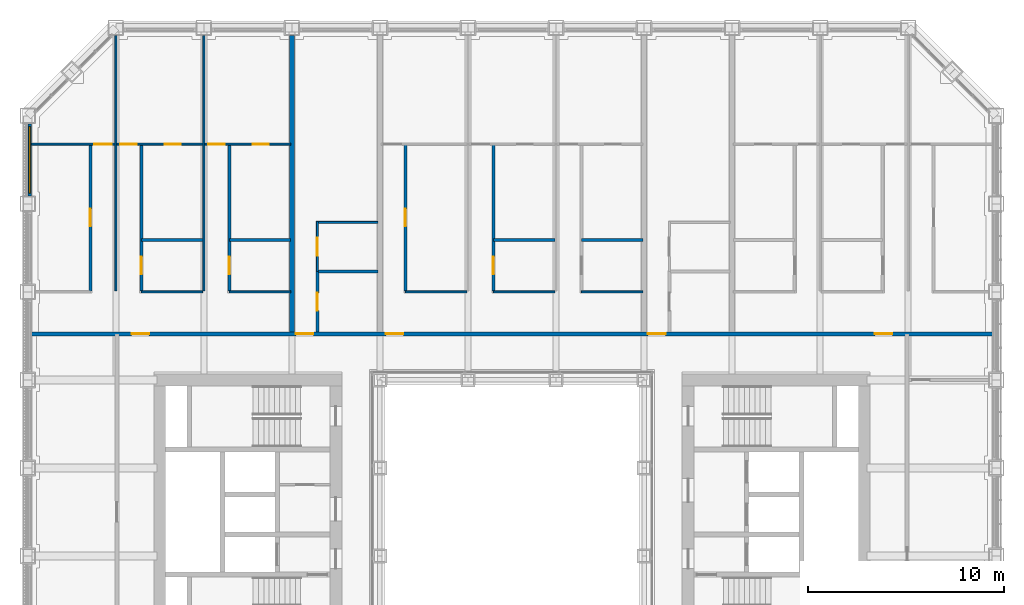
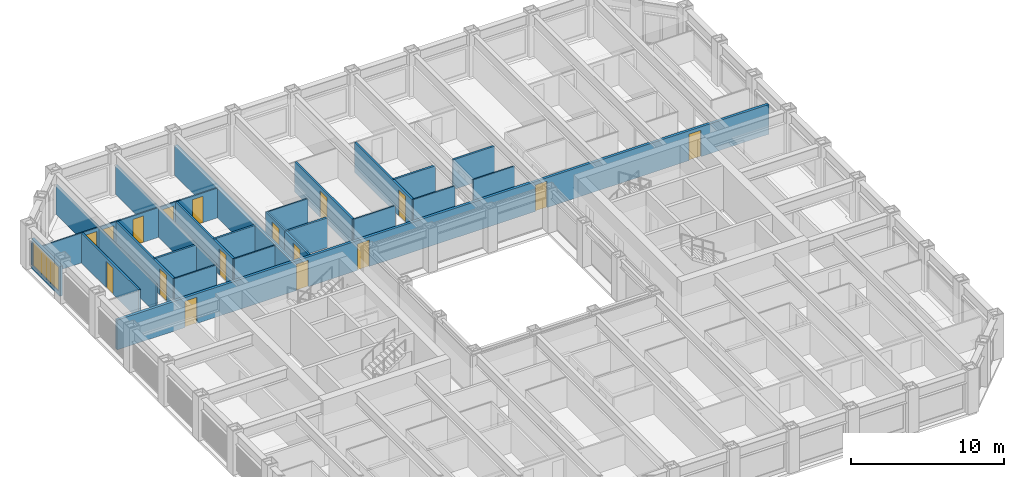
# One storey, part 13 of 20: 26 walls, 17 doors, 1 window, 18 openings.
"""IFC4 building model written with IfcOpenShell, lengths in metres."""

from ifc_helpers import new_model, si_unit, direction, frame, frame_2d, origin, place, context, subcontext, project, spatial, rectangle, extrude, material, layer, layer_set, type_object, element, fill, save


model = new_model("IFC4")

# Units and contexts
model_context = context("Model", 3, precision=1e-05, world=origin(), true_north=direction((0.0, 1.0)))
body_context = subcontext(model_context, "Body", "Model", "MODEL_VIEW")
ifc_project = project(units=[si_unit("LENGTHUNIT", "METRE"), si_unit("AREAUNIT", "SQUARE_METRE"), si_unit("VOLUMEUNIT", "CUBIC_METRE"), si_unit("PLANEANGLEUNIT", "RADIAN"), si_unit("MASSUNIT", "GRAM", prefix="KILO")], contexts=[model_context])

# Site, building, storey
site_placement = place(None, origin())
site = spatial("IfcSite", under=ifc_project, at=site_placement, CompositionType="ELEMENT")
building_placement = place(site_placement, origin())
building = spatial("IfcBuilding", under=site, at=building_placement, Name="Msasa Ring Tower", CompositionType="ELEMENT")
storey_placement = place(building_placement, frame((0.0, 0.0, 61.5)))
storey = spatial("IfcBuildingStorey", under=building, at=storey_placement, Name="L15", CompositionType="ELEMENT", Elevation=61.5)

# Wall, opening, window
ifc_material_1 = material(Name="Terracotta rainscreen on blockwork", Category="masonry")
ifc_layer_1 = layer(ifc_material_1, 0.199951171875)
ifc_layer_set_1 = layer_set([ifc_layer_1], Name="FW1 TERRACOTTA-LINED INFILL BAY WALL 200")
wall_type_1 = type_object("IfcWallType", Name="FW1 TERRACOTTA-LINED INFILL BAY WALL 200", PredefinedType="SOLIDWALL", material=ifc_layer_set_1)
wall_1_placement = place(storey_placement, frame((-24.64990234375, 16.155029296875, 0.0), z_axis=(0.0, 0.0, 1.0), x_axis=(0.0, 1.0, 0.0)))
wall_1 = element("IfcWall", 1, at=wall_1_placement, inside=storey, type_object=wall_type_1, Name="Infill bay wall W L15 41", PredefinedType="SOLIDWALL", context=body_context, shape_type="SweptSolid", body=[
    extrude(rectangle(XDim=3.68994140625, YDim=0.199951171875, at=frame_2d((1.844970703125, 0.0))), origin(), (0.0, 0.0, 1.0), 2.37890625),
])
opening_1_placement = place(wall_1_placement, frame((0.14501953125, 0.0, 0.300048828125)))
opening_1 = element("IfcOpeningElement", 2, at=opening_1_placement, cuts=wall_1, Name="Opening WN1", PredefinedType="OPENING", context=body_context, shape_type="SweptSolid", body=[
    extrude(rectangle(XDim=3.39990234375, YDim=1.928955078125, at=frame_2d((1.699951171875, 0.96435546875))), frame((0.0, 0.10986328125, 0.0), z_axis=(0.0, -1.0, 0.0), x_axis=(1.0, 0.0, 0.0)), (0.0, 0.0, 1.0), 0.219970703125),
])
ifc_material_2 = material(Name="Aluminium frame with clear glass", Category="aluminium")
window_type = type_object("IfcWindowType", Name="WN1 RESIDENCE WINDOW 3400x1929", PartitioningType="SINGLE_PANEL", PredefinedType="WINDOW", material=ifc_material_2)
window_placement = place(opening_1_placement, origin())
window = element("IfcWindow", 3, at=window_placement, inside=storey, type_object=window_type, Name="Window W L15 41", OverallHeight=1.928955078125, OverallWidth=3.39990234375, PartitioningType="SINGLE_PANEL", PredefinedType="WINDOW", context=body_context, shape_type="SweptSolid", body=[
    extrude(rectangle(XDim=3.39990234375, YDim=1.928955078125, at=frame_2d((1.699951171875, 0.96435546875))), frame((0.0, 0.030029296875, 0.0), z_axis=(0.0, -1.0, 0.0), x_axis=(1.0, 0.0, 0.0)), (0.0, 0.0, 1.0), 0.06005859375),
])
fill(opening_1, window)

# Wall, openings, doors
ifc_material_3 = material(Name="Concrete blockwork", Category="masonry")
ifc_layer_2 = layer(ifc_material_3, 0.199951171875)
ifc_layer_set_2 = layer_set([ifc_layer_2], Name="PT1 CORRIDOR WALL 200")
wall_type_2 = type_object("IfcWallType", Name="PT1 CORRIDOR WALL 200", PredefinedType="PARTITIONING", material=ifc_layer_set_2)
wall_2_placement = place(storey_placement, frame((-24.550048828125, 9.10009765625, 0.0), z_axis=(0.0, 0.0, 1.0), x_axis=(1.0, 0.0, 0.0)))
wall_2 = element("IfcWall", 4, at=wall_2_placement, inside=storey, type_object=wall_type_2, Name="Corridor wall L15-CORRN0", PredefinedType="PARTITIONING", context=body_context, shape_type="SweptSolid", body=[
    extrude(rectangle(XDim=49.10009765625, YDim=0.199951171875, at=frame_2d((24.550048828125, 0.0))), origin(), (0.0, 0.0, 1.0), 2.373291015625),
])
opening_2_placement = place(wall_2_placement, frame((5.10009765625, 0.0, 0.0)))
opening_2 = element("IfcOpeningElement", 5, at=opening_2_placement, cuts=wall_2, Name="Opening RD-029", PredefinedType="OPENING", context=body_context, shape_type="SweptSolid", body=[
    extrude(rectangle(XDim=0.89990234375, YDim=2.10009765625, at=frame_2d((0.449951171875, 1.050048828125))), frame((0.0, 0.10986328125, 0.0), z_axis=(0.0, -1.0, 0.0), x_axis=(1.0, 0.0, 0.0)), (0.0, 0.0, 1.0), 0.219970703125),
])
opening_3_placement = place(wall_2_placement, frame((13.5, 0.0, 0.0)))
opening_3 = element("IfcOpeningElement", 6, at=opening_3_placement, cuts=wall_2, Name="Opening RD-030", PredefinedType="OPENING", context=body_context, shape_type="SweptSolid", body=[
    extrude(rectangle(XDim=0.89990234375, YDim=2.10009765625, at=frame_2d((0.449951171875, 1.050048828125))), frame((0.0, 0.10986328125, 0.0), z_axis=(0.0, -1.0, 0.0), x_axis=(1.0, 0.0, 0.0)), (0.0, 0.0, 1.0), 0.219970703125),
])
opening_4_placement = place(wall_2_placement, frame((18.10009765625, 0.0, 0.0)))
opening_4 = element("IfcOpeningElement", 7, at=opening_4_placement, cuts=wall_2, Name="Opening RD-031", PredefinedType="OPENING", context=body_context, shape_type="SweptSolid", body=[
    extrude(rectangle(XDim=0.89990234375, YDim=2.10009765625, at=frame_2d((0.449951171875, 1.050048828125))), frame((0.0, 0.10986328125, 0.0), z_axis=(0.0, -1.0, 0.0), x_axis=(1.0, 0.0, 0.0)), (0.0, 0.0, 1.0), 0.219970703125),
])
opening_5_placement = place(wall_2_placement, frame((31.5, 0.0, 0.0)))
opening_5 = element("IfcOpeningElement", 8, at=opening_5_placement, cuts=wall_2, Name="Opening RD-032", PredefinedType="OPENING", context=body_context, shape_type="SweptSolid", body=[
    extrude(rectangle(XDim=0.89990234375, YDim=2.10009765625, at=frame_2d((0.449951171875, 1.050048828125))), frame((0.0, 0.10986328125, 0.0), z_axis=(0.0, -1.0, 0.0), x_axis=(1.0, 0.0, 0.0)), (0.0, 0.0, 1.0), 0.219970703125),
])
opening_6_placement = place(wall_2_placement, frame((43.10009765625, 0.0, 0.0)))
opening_6 = element("IfcOpeningElement", 9, at=opening_6_placement, cuts=wall_2, Name="Opening RD-033", PredefinedType="OPENING", context=body_context, shape_type="SweptSolid", body=[
    extrude(rectangle(XDim=0.89990234375, YDim=2.10009765625, at=frame_2d((0.449951171875, 1.050048828125))), frame((0.0, 0.10986328125, 0.0), z_axis=(0.0, -1.0, 0.0), x_axis=(1.0, 0.0, 0.0)), (0.0, 0.0, 1.0), 0.219970703125),
])
ifc_material_4 = material(Name="Timber door leaf in a steel frame", Category="steel")
door_type_1 = type_object("IfcDoorType", Name="D2 ENTRANCE DOOR 900x2100", OperationType="SINGLE_SWING_LEFT", PredefinedType="DOOR", material=ifc_material_4)
door_1_placement = place(opening_2_placement, origin())
door_1 = element("IfcDoor", 10, at=door_1_placement, inside=storey, type_object=door_type_1, Name="Door L15-UN00", OperationType="SINGLE_SWING_LEFT", OverallHeight=2.10009765625, OverallWidth=0.89990234375, PredefinedType="DOOR", context=body_context, shape_type="SweptSolid", body=[
    extrude(rectangle(XDim=0.89990234375, YDim=2.10009765625, at=frame_2d((0.449951171875, 1.050048828125))), frame((0.0, 0.02490234375, 0.0), z_axis=(0.0, -1.0, 0.0), x_axis=(1.0, 0.0, 0.0)), (0.0, 0.0, 1.0), 0.050048828125),
])
fill(opening_2, door_1)
door_2_placement = place(opening_3_placement, origin())
door_2 = element("IfcDoor", 11, at=door_2_placement, inside=storey, type_object=door_type_1, Name="Door L15-UN01", OperationType="SINGLE_SWING_LEFT", OverallHeight=2.10009765625, OverallWidth=0.89990234375, PredefinedType="DOOR", context=body_context, shape_type="SweptSolid", body=[
    extrude(rectangle(XDim=0.89990234375, YDim=2.10009765625, at=frame_2d((0.449951171875, 1.050048828125))), frame((0.0, 0.02490234375, 0.0), z_axis=(0.0, -1.0, 0.0), x_axis=(1.0, 0.0, 0.0)), (0.0, 0.0, 1.0), 0.050048828125),
])
fill(opening_3, door_2)
door_3_placement = place(opening_4_placement, origin())
door_3 = element("IfcDoor", 12, at=door_3_placement, inside=storey, type_object=door_type_1, Name="Door L15-UN02", OperationType="SINGLE_SWING_LEFT", OverallHeight=2.10009765625, OverallWidth=0.89990234375, PredefinedType="DOOR", context=body_context, shape_type="SweptSolid", body=[
    extrude(rectangle(XDim=0.89990234375, YDim=2.10009765625, at=frame_2d((0.449951171875, 1.050048828125))), frame((0.0, 0.02490234375, 0.0), z_axis=(0.0, -1.0, 0.0), x_axis=(1.0, 0.0, 0.0)), (0.0, 0.0, 1.0), 0.050048828125),
])
fill(opening_4, door_3)
door_4_placement = place(opening_5_placement, origin())
door_4 = element("IfcDoor", 13, at=door_4_placement, inside=storey, type_object=door_type_1, Name="Door L15-UN03", OperationType="SINGLE_SWING_RIGHT", OverallHeight=2.10009765625, OverallWidth=0.89990234375, PredefinedType="DOOR", context=body_context, shape_type="SweptSolid", body=[
    extrude(rectangle(XDim=0.89990234375, YDim=2.10009765625, at=frame_2d((0.449951171875, 1.050048828125))), frame((0.0, 0.02490234375, 0.0), z_axis=(0.0, -1.0, 0.0), x_axis=(1.0, 0.0, 0.0)), (0.0, 0.0, 1.0), 0.050048828125),
])
fill(opening_5, door_4)
door_5_placement = place(opening_6_placement, origin())
door_5 = element("IfcDoor", 14, at=door_5_placement, inside=storey, type_object=door_type_1, Name="Door L15-UN04", OperationType="SINGLE_SWING_RIGHT", OverallHeight=2.10009765625, OverallWidth=0.89990234375, PredefinedType="DOOR", context=body_context, shape_type="SweptSolid", body=[
    extrude(rectangle(XDim=0.89990234375, YDim=2.10009765625, at=frame_2d((0.449951171875, 1.050048828125))), frame((0.0, 0.02490234375, 0.0), z_axis=(0.0, -1.0, 0.0), x_axis=(1.0, 0.0, 0.0)), (0.0, 0.0, 1.0), 0.050048828125),
])
fill(opening_6, door_5)

# Wall, opening, door
ifc_material_5 = material(Name="Gypsum board on steel studs", Category="steel")
ifc_layer_3 = layer(ifc_material_5, 0.10009765625)
ifc_layer_set_3 = layer_set([ifc_layer_3], Name="PT2 STUD PARTITION 100")
wall_type_3 = type_object("IfcWallType", Name="PT2 STUD PARTITION 100", PredefinedType="PARTITIONING", material=ifc_layer_set_3)
wall_3_placement = place(storey_placement, frame((-24.550048828125, 18.800048828125, 0.0), z_axis=(0.0, 0.0, 1.0), x_axis=(1.0, 0.0, 0.0)))
wall_3 = element("IfcWall", 15, at=wall_3_placement, inside=storey, type_object=wall_type_3, Name="Partition L15-UN00SY0", PredefinedType="PARTITIONING", context=body_context, shape_type="SweptSolid", body=[
    extrude(rectangle(XDim=4.25, YDim=0.10009765625, at=frame_2d((2.125, 0.0))), origin(), (0.0, 0.0, 1.0), 2.373291015625),
])
opening_7_placement = place(wall_3_placement, frame((3.199951171875, 0.0, 0.0)))
opening_7 = element("IfcOpeningElement", 16, at=opening_7_placement, cuts=wall_3, Name="Opening RD-001", PredefinedType="OPENING", context=body_context, shape_type="SweptSolid", body=[
    extrude(rectangle(XDim=0.89990234375, YDim=2.10009765625, at=frame_2d((0.449951171875, 1.050048828125))), frame((0.0, 0.06005859375, 0.0), z_axis=(0.0, -1.0, 0.0), x_axis=(1.0, 0.0, 0.0)), (0.0, 0.0, 1.0), 0.1201171875),
])
ifc_material_6 = material(Name="Timber door leaf in a steel frame", Category="steel")
door_type_2 = type_object("IfcDoorType", Name="D22 INTERNAL HALL DOOR 900x2100", OperationType="SINGLE_SWING_LEFT", PredefinedType="DOOR", material=ifc_material_6)
door_6_placement = place(opening_7_placement, origin())
door_6 = element("IfcDoor", 17, at=door_6_placement, inside=storey, type_object=door_type_2, Name="Door L15-UN00L", OperationType="SINGLE_SWING_RIGHT", OverallHeight=2.10009765625, OverallWidth=0.89990234375, PredefinedType="DOOR", context=body_context, shape_type="SweptSolid", body=[
    extrude(rectangle(XDim=0.89990234375, YDim=2.10009765625, at=frame_2d((0.449951171875, 1.050048828125))), frame((0.0, 0.02490234375, 0.0), z_axis=(0.0, -1.0, 0.0), x_axis=(1.0, 0.0, 0.0)), (0.0, 0.0, 1.0), 0.050048828125),
])
fill(opening_7, door_6)

# Walls
wall_4_placement = place(storey_placement, frame((-20.25, 11.300048828125, 0.0), z_axis=(0.0, 0.0, 1.0), x_axis=(0.0, 1.0, 0.0)))
element("IfcWall", 18, at=wall_4_placement, inside=storey, type_object=wall_type_3, Name="Partition L15-UN00P1", PredefinedType="PARTITIONING", context=body_context, shape_type="SweptSolid", body=[
    extrude(rectangle(XDim=13.050048828125, YDim=0.10009765625, at=frame_2d((6.52490234375, 0.0))), origin(), (0.0, 0.0, 1.0), 2.373291015625),
])
wall_5_placement = place(storey_placement, frame((-18.949951171875, 11.25, 0.0), z_axis=(0.0, 0.0, 1.0), x_axis=(1.0, 0.0, 0.0)))
element("IfcWall", 19, at=wall_5_placement, inside=storey, type_object=wall_type_3, Name="Partition L15-UN00HY1", PredefinedType="PARTITIONING", context=body_context, shape_type="SweptSolid", body=[
    extrude(rectangle(XDim=3.139892578125, YDim=0.10009765625, at=frame_2d((1.56982421875, 0.0))), origin(), (0.0, 0.0, 1.0), 2.373291015625),
])

# Wall, openings, doors
wall_6_placement = place(storey_placement, frame((-20.199951171875, 18.800048828125, 0.0), z_axis=(0.0, 0.0, 1.0), x_axis=(1.0, 0.0, 0.0)))
wall_6 = element("IfcWall", 20, at=wall_6_placement, inside=storey, type_object=wall_type_3, Name="Partition L15-UN00SY1", PredefinedType="PARTITIONING", context=body_context, shape_type="SweptSolid", body=[
    extrude(rectangle(XDim=4.39990234375, YDim=0.10009765625, at=frame_2d((2.199951171875, 0.0))), origin(), (0.0, 0.0, 1.0), 2.373291015625),
])
opening_8_placement = place(wall_6_placement, frame((0.175048828125, 0.0, 0.0)))
opening_8 = element("IfcOpeningElement", 21, at=opening_8_placement, cuts=wall_6, Name="Opening RD-002", PredefinedType="OPENING", context=body_context, shape_type="SweptSolid", body=[
    extrude(rectangle(XDim=0.85009765625, YDim=2.10009765625, at=frame_2d((0.425048828125, 1.050048828125))), frame((0.0, 0.06005859375, 0.0), z_axis=(0.0, -1.0, 0.0), x_axis=(1.0, 0.0, 0.0)), (0.0, 0.0, 1.0), 0.1201171875),
])
opening_9_placement = place(wall_6_placement, frame((2.4599609375, 0.0, 0.0)))
opening_9 = element("IfcOpeningElement", 22, at=opening_9_placement, cuts=wall_6, Name="Opening RD-003", PredefinedType="OPENING", context=body_context, shape_type="SweptSolid", body=[
    extrude(rectangle(XDim=0.800048828125, YDim=2.10009765625, at=frame_2d((0.39990234375, 1.050048828125))), frame((0.0, 0.06005859375, 0.0), z_axis=(0.0, -1.0, 0.0), x_axis=(1.0, 0.0, 0.0)), (0.0, 0.0, 1.0), 0.1201171875),
])
ifc_material_7 = material(Name="Timber door leaf in a steel frame", Category="steel")
door_type_3 = type_object("IfcDoorType", Name="D14 BEDROOM DOOR 850x2100", OperationType="SINGLE_SWING_LEFT", PredefinedType="DOOR", material=ifc_material_7)
door_7_placement = place(opening_8_placement, origin())
door_7 = element("IfcDoor", 23, at=door_7_placement, inside=storey, type_object=door_type_3, Name="Door L15-UN00R1", OperationType="SINGLE_SWING_LEFT", OverallHeight=2.10009765625, OverallWidth=0.85009765625, PredefinedType="DOOR", context=body_context, shape_type="SweptSolid", body=[
    extrude(rectangle(XDim=0.85009765625, YDim=2.10009765625, at=frame_2d((0.425048828125, 1.050048828125))), frame((0.0, 0.02490234375, 0.0), z_axis=(0.0, -1.0, 0.0), x_axis=(1.0, 0.0, 0.0)), (0.0, 0.0, 1.0), 0.050048828125),
])
fill(opening_8, door_7)
ifc_material_8 = material(Name="Timber door leaf in a steel frame", Category="steel")
door_type_4 = type_object("IfcDoorType", Name="D60 DRESSING ROOM DOOR 800x2100", OperationType="SINGLE_SWING_LEFT", PredefinedType="DOOR", material=ifc_material_8)
door_8_placement = place(opening_9_placement, origin())
door_8 = element("IfcDoor", 24, at=door_8_placement, inside=storey, type_object=door_type_4, Name="Door L15-UN00W1", OperationType="SINGLE_SWING_RIGHT", OverallHeight=2.10009765625, OverallWidth=0.800048828125, PredefinedType="DOOR", context=body_context, shape_type="SweptSolid", body=[
    extrude(rectangle(XDim=0.800048828125, YDim=2.10009765625, at=frame_2d((0.39990234375, 1.050048828125))), frame((0.0, 0.02490234375, 0.0), z_axis=(0.0, -1.0, 0.0), x_axis=(1.0, 0.0, 0.0)), (0.0, 0.0, 1.0), 0.050048828125),
])
fill(opening_9, door_8)

# Walls
wall_7_placement = place(storey_placement, frame((-15.75, 11.300048828125, 0.0), z_axis=(0.0, 0.0, 1.0), x_axis=(0.0, 1.0, 0.0)))
element("IfcWall", 25, at=wall_7_placement, inside=storey, type_object=wall_type_3, Name="Partition L15-UN00P2", PredefinedType="PARTITIONING", context=body_context, shape_type="SweptSolid", body=[
    extrude(rectangle(XDim=13.050048828125, YDim=0.10009765625, at=frame_2d((6.52490234375, 0.0))), origin(), (0.0, 0.0, 1.0), 2.373291015625),
])
wall_8_placement = place(storey_placement, frame((-14.449951171875, 11.25, 0.0), z_axis=(0.0, 0.0, 1.0), x_axis=(1.0, 0.0, 0.0)))
element("IfcWall", 26, at=wall_8_placement, inside=storey, type_object=wall_type_3, Name="Partition L15-UN00HY2", PredefinedType="PARTITIONING", context=body_context, shape_type="SweptSolid", body=[
    extrude(rectangle(XDim=3.139892578125, YDim=0.10009765625, at=frame_2d((1.56982421875, 0.0))), origin(), (0.0, 0.0, 1.0), 2.373291015625),
])

# Wall, openings, doors
wall_9_placement = place(storey_placement, frame((-15.699951171875, 18.800048828125, 0.0), z_axis=(0.0, 0.0, 1.0), x_axis=(1.0, 0.0, 0.0)))
wall_9 = element("IfcWall", 27, at=wall_9_placement, inside=storey, type_object=wall_type_3, Name="Partition L15-UN00SY2", PredefinedType="PARTITIONING", context=body_context, shape_type="SweptSolid", body=[
    extrude(rectangle(XDim=4.389892578125, YDim=0.10009765625, at=frame_2d((2.19482421875, 0.0))), origin(), (0.0, 0.0, 1.0), 2.373291015625),
])
opening_10_placement = place(wall_9_placement, frame((0.175048828125, 0.0, 0.0)))
opening_10 = element("IfcOpeningElement", 28, at=opening_10_placement, cuts=wall_9, Name="Opening RD-004", PredefinedType="OPENING", context=body_context, shape_type="SweptSolid", body=[
    extrude(rectangle(XDim=0.85009765625, YDim=2.10009765625, at=frame_2d((0.425048828125, 1.050048828125))), frame((0.0, 0.06005859375, 0.0), z_axis=(0.0, -1.0, 0.0), x_axis=(1.0, 0.0, 0.0)), (0.0, 0.0, 1.0), 0.1201171875),
])
opening_11_placement = place(wall_9_placement, frame((2.4599609375, 0.0, 0.0)))
opening_11 = element("IfcOpeningElement", 29, at=opening_11_placement, cuts=wall_9, Name="Opening RD-005", PredefinedType="OPENING", context=body_context, shape_type="SweptSolid", body=[
    extrude(rectangle(XDim=0.800048828125, YDim=2.10009765625, at=frame_2d((0.39990234375, 1.050048828125))), frame((0.0, 0.06005859375, 0.0), z_axis=(0.0, -1.0, 0.0), x_axis=(1.0, 0.0, 0.0)), (0.0, 0.0, 1.0), 0.1201171875),
])
door_9_placement = place(opening_10_placement, origin())
door_9 = element("IfcDoor", 30, at=door_9_placement, inside=storey, type_object=door_type_3, Name="Door L15-UN00R2", OperationType="SINGLE_SWING_LEFT", OverallHeight=2.10009765625, OverallWidth=0.85009765625, PredefinedType="DOOR", context=body_context, shape_type="SweptSolid", body=[
    extrude(rectangle(XDim=0.85009765625, YDim=2.10009765625, at=frame_2d((0.425048828125, 1.050048828125))), frame((0.0, 0.02490234375, 0.0), z_axis=(0.0, -1.0, 0.0), x_axis=(1.0, 0.0, 0.0)), (0.0, 0.0, 1.0), 0.050048828125),
])
fill(opening_10, door_9)
door_10_placement = place(opening_11_placement, origin())
door_10 = element("IfcDoor", 31, at=door_10_placement, inside=storey, type_object=door_type_4, Name="Door L15-UN00W2", OperationType="SINGLE_SWING_RIGHT", OverallHeight=2.10009765625, OverallWidth=0.800048828125, PredefinedType="DOOR", context=body_context, shape_type="SweptSolid", body=[
    extrude(rectangle(XDim=0.800048828125, YDim=2.10009765625, at=frame_2d((0.39990234375, 1.050048828125))), frame((0.0, 0.02490234375, 0.0), z_axis=(0.0, -1.0, 0.0), x_axis=(1.0, 0.0, 0.0)), (0.0, 0.0, 1.0), 0.050048828125),
])
fill(opening_11, door_10)

# Wall
wall_10_placement = place(storey_placement, frame((-9.89990234375, 14.800048828125, 0.0), z_axis=(0.0, 0.0, 1.0), x_axis=(1.0, 0.0, 0.0)))
element("IfcWall", 32, at=wall_10_placement, inside=storey, type_object=wall_type_3, Name="Partition L15-UN01KY", PredefinedType="PARTITIONING", context=body_context, shape_type="SweptSolid", body=[
    extrude(rectangle(XDim=3.0498046875, YDim=0.10009765625, at=frame_2d((1.52490234375, 0.0))), origin(), (0.0, 0.0, 1.0), 2.373291015625),
])

# Wall, opening, door
wall_11_placement = place(storey_placement, frame((-9.949951171875, 12.300048828125, 0.0), z_axis=(0.0, 0.0, 1.0), x_axis=(0.0, 1.0, 0.0)))
wall_11 = element("IfcWall", 33, at=wall_11_placement, inside=storey, type_object=wall_type_3, Name="Partition L15-UN01KX", PredefinedType="PARTITIONING", context=body_context, shape_type="SweptSolid", body=[
    extrude(rectangle(XDim=2.550048828125, YDim=0.10009765625, at=frame_2d((1.27490234375, 0.0))), origin(), (0.0, 0.0, 1.0), 2.373291015625),
])
opening_12_placement = place(wall_11_placement, frame((0.81005859375, 0.0, 0.0)))
opening_12 = element("IfcOpeningElement", 34, at=opening_12_placement, cuts=wall_11, Name="Opening RD-019", PredefinedType="OPENING", context=body_context, shape_type="SweptSolid", body=[
    extrude(rectangle(XDim=0.89990234375, YDim=2.10009765625, at=frame_2d((0.449951171875, 1.050048828125))), frame((0.0, 0.06005859375, 0.0), z_axis=(0.0, -1.0, 0.0), x_axis=(1.0, 0.0, 0.0)), (0.0, 0.0, 1.0), 0.1201171875),
])
door_11_placement = place(opening_12_placement, origin())
door_11 = element("IfcDoor", 35, at=door_11_placement, inside=storey, type_object=door_type_2, Name="Door L15-UN01K", OperationType="SINGLE_SWING_LEFT", OverallHeight=2.10009765625, OverallWidth=0.89990234375, PredefinedType="DOOR", context=body_context, shape_type="SweptSolid", body=[
    extrude(rectangle(XDim=0.89990234375, YDim=2.10009765625, at=frame_2d((0.449951171875, 1.050048828125))), frame((0.0, 0.02490234375, 0.0), z_axis=(0.0, -1.0, 0.0), x_axis=(1.0, 0.0, 0.0)), (0.0, 0.0, 1.0), 0.050048828125),
])
fill(opening_12, door_11)

# Walls
for number, where, z_axis, x_axis, name in (
    (36, (-5.449951171875, 11.25, 0.0), (0.0, 0.0, 1.0), (1.0, 0.0, 0.0), "Partition L15-UN02HY0"),
    (37, (-0.949951171875, 11.25, 0.0), (0.0, 0.0, 1.0), (1.0, 0.0, 0.0), "Partition L15-UN02HY1"),
    (38, (3.550048828125, 11.25, 0.0), (0.0, 0.0, 1.0), (1.0, 0.0, 0.0), "Partition L15-UN02HY2"),
):
    element("IfcWall", number, at=place(storey_placement, frame(where, z_axis=z_axis, x_axis=x_axis)), inside=storey, type_object=wall_type_3, Name=name, PredefinedType="PARTITIONING", context=body_context, shape_type="SweptSolid", body=[
        extrude(rectangle(XDim=3.139892578125, YDim=0.10009765625, at=frame_2d((1.56982421875, 0.0))), origin(), (0.0, 0.0, 1.0), 2.373291015625),
    ])
ifc_material_9 = material(Name="Dense concrete blockwork, plastered both faces", Category="masonry")
ifc_layer_4 = layer(ifc_material_9, 0.25)
ifc_layer_set_4 = layer_set([ifc_layer_4], Name="PT3 APARTMENT SEPARATING WALL 250")
wall_type_4 = type_object("IfcWallType", Name="PT3 APARTMENT SEPARATING WALL 250", PredefinedType="PARTITIONING", material=ifc_layer_set_4)
wall_12_placement = place(storey_placement, frame((-11.25, 9.199951171875, 0.0), z_axis=(0.0, 0.0, 1.0), x_axis=(0.0, 1.0, 0.0)))
element("IfcWall", 39, at=wall_12_placement, inside=storey, type_object=wall_type_4, Name="Party wall L15-PWN-11.25", PredefinedType="PARTITIONING", context=body_context, shape_type="SweptSolid", body=[
    extrude(rectangle(XDim=15.150146484375, YDim=0.25, at=frame_2d((7.5751953125, 0.0))), origin(), (0.0, 0.0, 1.0), 2.373291015625),
])

# Wall, opening, door
ifc_material_10 = material(Name="Moisture-resistant board on steel studs with a concealed cistern and pipe void, tiled", Category="steel")
ifc_layer_5 = layer(ifc_material_10, 0.14990234375)
ifc_layer_set_5 = layer_set([ifc_layer_5], Name="PT4 BATHROOM WET WALL 150")
wall_type_5 = type_object("IfcWallType", Name="PT4 BATHROOM WET WALL 150", PredefinedType="PARTITIONING", material=ifc_layer_set_5)
wall_13_placement = place(storey_placement, frame((-21.550048828125, 11.300048828125, 0.0), z_axis=(0.0, 0.0, 1.0), x_axis=(0.0, 1.0, 0.0)))
wall_13 = element("IfcWall", 40, at=wall_13_placement, inside=storey, type_object=wall_type_5, Name="Partition L15-UN00SX0", PredefinedType="PARTITIONING", context=body_context, shape_type="SweptSolid", body=[
    extrude(rectangle(XDim=7.5, YDim=0.14990234375, at=frame_2d((3.75, 0.0))), origin(), (0.0, 0.0, 1.0), 2.373291015625),
])
opening_13_placement = place(wall_13_placement, frame((3.300048828125, 0.0, 0.0)))
opening_13 = element("IfcOpeningElement", 41, at=opening_13_placement, cuts=wall_13, Name="Opening RD-016", PredefinedType="OPENING", context=body_context, shape_type="SweptSolid", body=[
    extrude(rectangle(XDim=0.89990234375, YDim=2.10009765625, at=frame_2d((0.449951171875, 1.050048828125))), frame((0.0, 0.0849609375, 0.0), z_axis=(0.0, -1.0, 0.0), x_axis=(1.0, 0.0, 0.0)), (0.0, 0.0, 1.0), 0.169921875),
])
door_12_placement = place(opening_13_placement, origin())
door_12 = element("IfcDoor", 42, at=door_12_placement, inside=storey, type_object=door_type_2, Name="Door L15-UN00K", OperationType="SINGLE_SWING_LEFT", OverallHeight=2.10009765625, OverallWidth=0.89990234375, PredefinedType="DOOR", context=body_context, shape_type="SweptSolid", body=[
    extrude(rectangle(XDim=0.89990234375, YDim=2.10009765625, at=frame_2d((0.449951171875, 1.050048828125))), frame((0.0, 0.02490234375, 0.0), z_axis=(0.0, -1.0, 0.0), x_axis=(1.0, 0.0, 0.0)), (0.0, 0.0, 1.0), 0.050048828125),
])
fill(opening_13, door_12)

wall_14_placement = place(storey_placement, frame((-18.949951171875, 11.300048828125, 0.0), z_axis=(0.0, 0.0, 1.0), x_axis=(0.0, 1.0, 0.0)))
wall_14 = element("IfcWall", 43, at=wall_14_placement, inside=storey, type_object=wall_type_5, Name="Partition L15-UN00SX1", PredefinedType="PARTITIONING", context=body_context, shape_type="SweptSolid", body=[
    extrude(rectangle(XDim=7.5, YDim=0.14990234375, at=frame_2d((3.75, 0.0))), origin(), (0.0, 0.0, 1.0), 2.373291015625),
])
opening_14_placement = place(wall_14_placement, frame((0.85009765625, 0.0, 0.0)))
opening_14 = element("IfcOpeningElement", 44, at=opening_14_placement, cuts=wall_14, Name="Opening RD-021", PredefinedType="OPENING", context=body_context, shape_type="SweptSolid", body=[
    extrude(rectangle(XDim=0.89990234375, YDim=2.10009765625, at=frame_2d((0.449951171875, 1.050048828125))), frame((0.0, 0.0849609375, 0.0), z_axis=(0.0, -1.0, 0.0), x_axis=(1.0, 0.0, 0.0)), (0.0, 0.0, 1.0), 0.169921875),
])
ifc_material_11 = material(Name="Timber door leaf in a steel frame", Category="steel")
door_type_5 = type_object("IfcDoorType", Name="D3 BATHROOM DOOR 900x2100", OperationType="SINGLE_SWING_LEFT", PredefinedType="DOOR", material=ifc_material_11)
door_13_placement = place(opening_14_placement, origin())
door_13 = element("IfcDoor", 45, at=door_13_placement, inside=storey, type_object=door_type_5, Name="Door L15-UN00B1", OperationType="SINGLE_SWING_LEFT", OverallHeight=2.10009765625, OverallWidth=0.89990234375, PredefinedType="DOOR", context=body_context, shape_type="SweptSolid", body=[
    extrude(rectangle(XDim=0.89990234375, YDim=2.10009765625, at=frame_2d((0.449951171875, 1.050048828125))), frame((0.0, 0.02490234375, 0.0), z_axis=(0.0, -1.0, 0.0), x_axis=(1.0, 0.0, 0.0)), (0.0, 0.0, 1.0), 0.050048828125),
])
fill(opening_14, door_13)

# Wall
wall_15_placement = place(storey_placement, frame((-18.949951171875, 13.89990234375, 0.0), z_axis=(0.0, 0.0, 1.0), x_axis=(1.0, 0.0, 0.0)))
element("IfcWall", 46, at=wall_15_placement, inside=storey, type_object=wall_type_5, Name="Partition L15-UN00SB1", PredefinedType="PARTITIONING", context=body_context, shape_type="SweptSolid", body=[
    extrude(rectangle(XDim=3.14990234375, YDim=0.14990234375, at=frame_2d((1.574951171875, 0.0))), origin(), (0.0, 0.0, 1.0), 2.373291015625),
])

# Wall, opening, door
wall_16_placement = place(storey_placement, frame((-14.449951171875, 11.300048828125, 0.0), z_axis=(0.0, 0.0, 1.0), x_axis=(0.0, 1.0, 0.0)))
wall_16 = element("IfcWall", 47, at=wall_16_placement, inside=storey, type_object=wall_type_5, Name="Partition L15-UN00SX2", PredefinedType="PARTITIONING", context=body_context, shape_type="SweptSolid", body=[
    extrude(rectangle(XDim=7.5, YDim=0.14990234375, at=frame_2d((3.75, 0.0))), origin(), (0.0, 0.0, 1.0), 2.373291015625),
])
opening_15_placement = place(wall_16_placement, frame((0.85009765625, 0.0, 0.0)))
opening_15 = element("IfcOpeningElement", 48, at=opening_15_placement, cuts=wall_16, Name="Opening RD-022", PredefinedType="OPENING", context=body_context, shape_type="SweptSolid", body=[
    extrude(rectangle(XDim=0.89990234375, YDim=2.10009765625, at=frame_2d((0.449951171875, 1.050048828125))), frame((0.0, 0.0849609375, 0.0), z_axis=(0.0, -1.0, 0.0), x_axis=(1.0, 0.0, 0.0)), (0.0, 0.0, 1.0), 0.169921875),
])
door_14_placement = place(opening_15_placement, origin())
door_14 = element("IfcDoor", 49, at=door_14_placement, inside=storey, type_object=door_type_5, Name="Door L15-UN00B2", OperationType="SINGLE_SWING_LEFT", OverallHeight=2.10009765625, OverallWidth=0.89990234375, PredefinedType="DOOR", context=body_context, shape_type="SweptSolid", body=[
    extrude(rectangle(XDim=0.89990234375, YDim=2.10009765625, at=frame_2d((0.449951171875, 1.050048828125))), frame((0.0, 0.02490234375, 0.0), z_axis=(0.0, -1.0, 0.0), x_axis=(1.0, 0.0, 0.0)), (0.0, 0.0, 1.0), 0.050048828125),
])
fill(opening_15, door_14)

# Wall
wall_17_placement = place(storey_placement, frame((-14.449951171875, 13.89990234375, 0.0), z_axis=(0.0, 0.0, 1.0), x_axis=(1.0, 0.0, 0.0)))
element("IfcWall", 50, at=wall_17_placement, inside=storey, type_object=wall_type_5, Name="Partition L15-UN00SB2", PredefinedType="PARTITIONING", context=body_context, shape_type="SweptSolid", body=[
    extrude(rectangle(XDim=3.139892578125, YDim=0.14990234375, at=frame_2d((1.56982421875, 0.0))), origin(), (0.0, 0.0, 1.0), 2.373291015625),
])

# Wall, opening, door
wall_18_placement = place(storey_placement, frame((-9.949951171875, 9.199951171875, 0.0), z_axis=(0.0, 0.0, 1.0), x_axis=(0.0, 1.0, 0.0)))
wall_18 = element("IfcWall", 51, at=wall_18_placement, inside=storey, type_object=wall_type_5, Name="Partition L15-UN01BX", PredefinedType="PARTITIONING", context=body_context, shape_type="SweptSolid", body=[
    extrude(rectangle(XDim=3.150146484375, YDim=0.14990234375, at=frame_2d((1.5751953125, 0.0))), origin(), (0.0, 0.0, 1.0), 2.373291015625),
])
opening_16_placement = place(wall_18_placement, frame((1.10009765625, 0.0, 0.0)))
opening_16 = element("IfcOpeningElement", 52, at=opening_16_placement, cuts=wall_18, Name="Opening RD-027", PredefinedType="OPENING", context=body_context, shape_type="SweptSolid", body=[
    extrude(rectangle(XDim=0.89990234375, YDim=2.10009765625, at=frame_2d((0.449951171875, 1.050048828125))), frame((0.0, 0.0849609375, 0.0), z_axis=(0.0, -1.0, 0.0), x_axis=(1.0, 0.0, 0.0)), (0.0, 0.0, 1.0), 0.169921875),
])
door_15_placement = place(opening_16_placement, origin())
door_15 = element("IfcDoor", 53, at=door_15_placement, inside=storey, type_object=door_type_5, Name="Door L15-UN01B", OperationType="SINGLE_SWING_LEFT", OverallHeight=2.10009765625, OverallWidth=0.89990234375, PredefinedType="DOOR", context=body_context, shape_type="SweptSolid", body=[
    extrude(rectangle(XDim=0.89990234375, YDim=2.10009765625, at=frame_2d((0.449951171875, 1.050048828125))), frame((0.0, 0.02490234375, 0.0), z_axis=(0.0, -1.0, 0.0), x_axis=(1.0, 0.0, 0.0)), (0.0, 0.0, 1.0), 0.050048828125),
])
fill(opening_16, door_15)

# Wall
wall_19_placement = place(storey_placement, frame((-9.89990234375, 12.300048828125, 0.0), z_axis=(0.0, 0.0, 1.0), x_axis=(1.0, 0.0, 0.0)))
element("IfcWall", 54, at=wall_19_placement, inside=storey, type_object=wall_type_5, Name="Partition L15-UN01BY", PredefinedType="PARTITIONING", context=body_context, shape_type="SweptSolid", body=[
    extrude(rectangle(XDim=3.0498046875, YDim=0.14990234375, at=frame_2d((1.52490234375, 0.0))), origin(), (0.0, 0.0, 1.0), 2.373291015625),
])

# Wall, opening, door
wall_20_placement = place(storey_placement, frame((-5.449951171875, 11.300048828125, 0.0), z_axis=(0.0, 0.0, 1.0), x_axis=(0.0, 1.0, 0.0)))
wall_20 = element("IfcWall", 55, at=wall_20_placement, inside=storey, type_object=wall_type_5, Name="Partition L15-UN02SX0", PredefinedType="PARTITIONING", context=body_context, shape_type="SweptSolid", body=[
    extrude(rectangle(XDim=7.5, YDim=0.14990234375, at=frame_2d((3.75, 0.0))), origin(), (0.0, 0.0, 1.0), 2.373291015625),
])
opening_17_placement = place(wall_20_placement, frame((3.300048828125, 0.0, 0.0)))
opening_17 = element("IfcOpeningElement", 56, at=opening_17_placement, cuts=wall_20, Name="Opening RD-017", PredefinedType="OPENING", context=body_context, shape_type="SweptSolid", body=[
    extrude(rectangle(XDim=0.89990234375, YDim=2.10009765625, at=frame_2d((0.449951171875, 1.050048828125))), frame((0.0, 0.0849609375, 0.0), z_axis=(0.0, -1.0, 0.0), x_axis=(1.0, 0.0, 0.0)), (0.0, 0.0, 1.0), 0.169921875),
])
door_16_placement = place(opening_17_placement, origin())
door_16 = element("IfcDoor", 57, at=door_16_placement, inside=storey, type_object=door_type_2, Name="Door L15-UN02K", OperationType="SINGLE_SWING_LEFT", OverallHeight=2.10009765625, OverallWidth=0.89990234375, PredefinedType="DOOR", context=body_context, shape_type="SweptSolid", body=[
    extrude(rectangle(XDim=0.89990234375, YDim=2.10009765625, at=frame_2d((0.449951171875, 1.050048828125))), frame((0.0, 0.02490234375, 0.0), z_axis=(0.0, -1.0, 0.0), x_axis=(1.0, 0.0, 0.0)), (0.0, 0.0, 1.0), 0.050048828125),
])
fill(opening_17, door_16)

wall_21_placement = place(storey_placement, frame((-0.949951171875, 11.300048828125, 0.0), z_axis=(0.0, 0.0, 1.0), x_axis=(0.0, 1.0, 0.0)))
wall_21 = element("IfcWall", 58, at=wall_21_placement, inside=storey, type_object=wall_type_5, Name="Partition L15-UN02SX1", PredefinedType="PARTITIONING", context=body_context, shape_type="SweptSolid", body=[
    extrude(rectangle(XDim=7.5, YDim=0.14990234375, at=frame_2d((3.75, 0.0))), origin(), (0.0, 0.0, 1.0), 2.373291015625),
])
opening_18_placement = place(wall_21_placement, frame((0.85009765625, 0.0, 0.0)))
opening_18 = element("IfcOpeningElement", 59, at=opening_18_placement, cuts=wall_21, Name="Opening RD-023", PredefinedType="OPENING", context=body_context, shape_type="SweptSolid", body=[
    extrude(rectangle(XDim=0.89990234375, YDim=2.10009765625, at=frame_2d((0.449951171875, 1.050048828125))), frame((0.0, 0.0849609375, 0.0), z_axis=(0.0, -1.0, 0.0), x_axis=(1.0, 0.0, 0.0)), (0.0, 0.0, 1.0), 0.169921875),
])
door_17_placement = place(opening_18_placement, origin())
door_17 = element("IfcDoor", 60, at=door_17_placement, inside=storey, type_object=door_type_5, Name="Door L15-UN02B1", OperationType="SINGLE_SWING_LEFT", OverallHeight=2.10009765625, OverallWidth=0.89990234375, PredefinedType="DOOR", context=body_context, shape_type="SweptSolid", body=[
    extrude(rectangle(XDim=0.89990234375, YDim=2.10009765625, at=frame_2d((0.449951171875, 1.050048828125))), frame((0.0, 0.02490234375, 0.0), z_axis=(0.0, -1.0, 0.0), x_axis=(1.0, 0.0, 0.0)), (0.0, 0.0, 1.0), 0.050048828125),
])
fill(opening_18, door_17)

# Walls
wall_22_placement = place(storey_placement, frame((-0.949951171875, 13.89990234375, 0.0), z_axis=(0.0, 0.0, 1.0), x_axis=(1.0, 0.0, 0.0)))
element("IfcWall", 61, at=wall_22_placement, inside=storey, type_object=wall_type_5, Name="Partition L15-UN02SB1", PredefinedType="PARTITIONING", context=body_context, shape_type="SweptSolid", body=[
    extrude(rectangle(XDim=3.14990234375, YDim=0.14990234375, at=frame_2d((1.574951171875, 0.0))), origin(), (0.0, 0.0, 1.0), 2.373291015625),
])
wall_23_placement = place(storey_placement, frame((3.550048828125, 13.89990234375, 0.0), z_axis=(0.0, 0.0, 1.0), x_axis=(1.0, 0.0, 0.0)))
element("IfcWall", 62, at=wall_23_placement, inside=storey, type_object=wall_type_5, Name="Partition L15-UN02SB2", PredefinedType="PARTITIONING", context=body_context, shape_type="SweptSolid", body=[
    extrude(rectangle(XDim=3.139892578125, YDim=0.14990234375, at=frame_2d((1.56982421875, 0.0))), origin(), (0.0, 0.0, 1.0), 2.373291015625),
])

save(model, "model.ifc")
